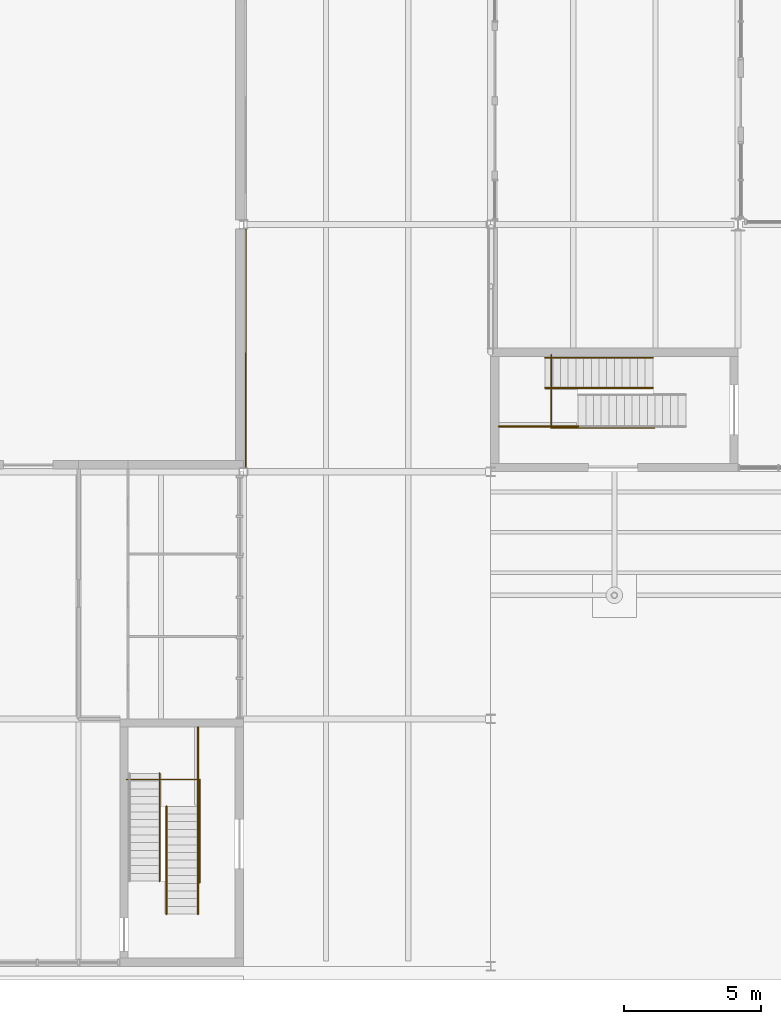
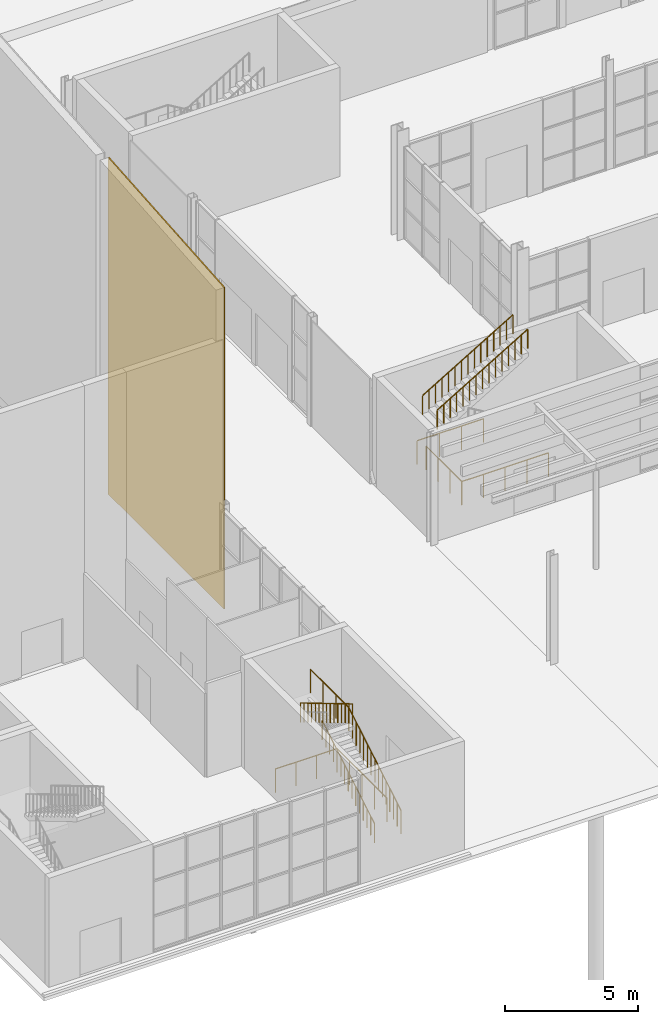
# One storey, part 54 of 63: 9 railings, 1 covering.
"""IFC4 building model written with IfcOpenShell, lengths in metres."""

from ifc_helpers import new_model, si_unit, direction, frame, origin, origin_2d, place, context, subcontext, project, spatial, polyline, circle, outline, extrude, material, layer, layer_set, type_object, element, save


model = new_model("IFC4")

# Units and contexts
model_context = context("Model", 3, precision=1e-05, world=origin(), true_north=direction((0.0, 1.0)))
body_context = subcontext(model_context, "Body", "Model", "MODEL_VIEW")
ifc_project = project(units=[si_unit("LENGTHUNIT", "METRE"), si_unit("AREAUNIT", "SQUARE_METRE"), si_unit("VOLUMEUNIT", "CUBIC_METRE"), si_unit("PLANEANGLEUNIT", "RADIAN"), si_unit("MASSUNIT", "GRAM", prefix="KILO")], contexts=[model_context])

# Site, building, storey
site_placement = place(None, origin())
site = spatial("IfcSite", under=ifc_project, at=site_placement, CompositionType="ELEMENT")
building_placement = place(site_placement, origin())
building = spatial("IfcBuilding", under=site, at=building_placement, Name="Halyard Row Museum", CompositionType="ELEMENT")
storey_placement = place(building_placement, origin())
storey = spatial("IfcBuildingStorey", under=building, at=storey_placement, Name="L00", CompositionType="ELEMENT", Elevation=0.0)

# Railings
ifc_material_1 = material(Name="Steel Grade 300", Category="steel")
railing_type_1 = type_object("IfcRailingType", Name="Guard GR2 steel balustrade 1100", PredefinedType="GUARDRAIL", material=ifc_material_1)
railing_1_placement = place(storey_placement, frame((30.179931640625, 19.64990234375, 2.5)))
element("IfcRailing", 1, at=railing_1_placement, inside=storey, type_object=railing_type_1, Name="Guard GR032", PredefinedType="GUARDRAIL", context=body_context, shape_type="SweptSolid", body=[
    extrude(circle(Radius=0.02392578125, at=origin_2d()), frame((0.0, 0.0, 1.076171875), z_axis=(-1.0, 0.0, 0.0), x_axis=(0.0, -1.0, 0.0)), (0.0, 0.0, 1.0), 2.8798828125),
    extrude(circle(Radius=0.02099609375, at=origin_2d()), origin(), (0.0, 0.0, 1.0), 1.052001953125),
    extrude(circle(Radius=0.02099609375, at=origin_2d()), frame((-0.9599609375, 0.0, 0.0)), (0.0, 0.0, 1.0), 1.052001953125),
    extrude(circle(Radius=0.02099609375, at=origin_2d()), frame((-1.919921875, 0.0, 0.0)), (0.0, 0.0, 1.0), 1.052001953125),
    extrude(circle(Radius=0.02099609375, at=origin_2d()), frame((-2.8798828125, 0.0, 0.0)), (0.0, 0.0, 1.0), 1.052001953125),
])
railing_2_placement = place(storey_placement, frame((16.35009765625, 1.89990234375, 0.166748046875)))
element("IfcRailing", 2, at=railing_2_placement, inside=storey, type_object=railing_type_1, Name="Guard GR078", PredefinedType="GUARDRAIL", context=body_context, shape_type="SweptSolid", body=[
    extrude(circle(Radius=0.02392578125, at=origin_2d()), frame((0.0, 0.0, 1.076171875), z_axis=(0.0, 0.859535888021, 0.511075392877), x_axis=(-1.0, 0.0, 0.0)), (0.0, 0.0, 1.0), 0.32568359375),
    extrude(circle(Radius=0.02392578125, at=origin_2d()), frame((0.0, 0.280029296875, 1.24267578125), z_axis=(0.0, 0.859206643714, 0.511628716353), x_axis=(-1.0, 0.0, 0.0)), (0.0, 0.0, 1.0), 0.325927734375),
    extrude(circle(Radius=0.02392578125, at=origin_2d()), frame((0.0, 0.56005859375, 1.4091796875), z_axis=(0.0, 0.859206643714, 0.511628716353), x_axis=(-1.0, 0.0, 0.0)), (0.0, 0.0, 1.0), 0.325927734375),
    extrude(circle(Radius=0.02392578125, at=origin_2d()), frame((0.0, 0.840087890625, 1.576171875), z_axis=(0.0, 0.859535888021, 0.511075392877), x_axis=(-1.0, 0.0, 0.0)), (0.0, 0.0, 1.0), 0.32568359375),
    extrude(circle(Radius=0.02392578125, at=origin_2d()), frame((0.0, 1.1201171875, 1.74267578125), z_axis=(0.0, 0.859206643714, 0.511628716353), x_axis=(-1.0, 0.0, 0.0)), (0.0, 0.0, 1.0), 0.325927734375),
    extrude(circle(Radius=0.02392578125, at=origin_2d()), frame((0.0, 1.400146484375, 1.9091796875), z_axis=(0.0, 0.859206643714, 0.511628716353), x_axis=(-1.0, 0.0, 0.0)), (0.0, 0.0, 1.0), 0.325927734375),
    extrude(circle(Radius=0.02392578125, at=origin_2d()), frame((0.0, 1.68017578125, 2.076171875), z_axis=(0.0, 0.859535888021, 0.511075392877), x_axis=(-1.0, 0.0, 0.0)), (0.0, 0.0, 1.0), 0.32568359375),
    extrude(circle(Radius=0.02392578125, at=origin_2d()), frame((0.0, 1.960205078125, 2.24267578125), z_axis=(0.0, 0.859010369412, 0.511958187006), x_axis=(-1.0, 0.0, 0.0)), (0.0, 0.0, 1.0), 0.32568359375),
    extrude(circle(Radius=0.02392578125, at=origin_2d()), frame((0.0, 2.239990234375, 2.4091796875), z_axis=(0.0, 0.859206643714, 0.511628716353), x_axis=(-1.0, 0.0, 0.0)), (0.0, 0.0, 1.0), 0.325927734375),
    extrude(circle(Radius=0.02392578125, at=origin_2d()), frame((0.0, 2.52001953125, 2.576171875), z_axis=(0.0, 0.859535888021, 0.511075392877), x_axis=(-1.0, 0.0, 0.0)), (0.0, 0.0, 1.0), 0.32568359375),
    extrude(circle(Radius=0.02392578125, at=origin_2d()), frame((0.0, 2.800048828125, 2.74267578125), z_axis=(0.0, 0.859206643714, 0.511628716353), x_axis=(-1.0, 0.0, 0.0)), (0.0, 0.0, 1.0), 0.325927734375),
    extrude(circle(Radius=0.02392578125, at=origin_2d()), frame((0.0, 3.080078125, 2.9091796875), z_axis=(0.0, 0.859206643714, 0.511628716353), x_axis=(-1.0, 0.0, 0.0)), (0.0, 0.0, 1.0), 0.325927734375),
    extrude(circle(Radius=0.02392578125, at=origin_2d()), frame((0.0, 3.360107421875, 3.076171875), z_axis=(0.0, 0.859535888021, 0.511075392877), x_axis=(-1.0, 0.0, 0.0)), (0.0, 0.0, 1.0), 0.32568359375),
    extrude(circle(Radius=0.02392578125, at=origin_2d()), frame((0.0, 3.64013671875, 3.24267578125), z_axis=(0.0, 0.859206643714, 0.511628716353), x_axis=(-1.0, 0.0, 0.0)), (0.0, 0.0, 1.0), 0.325927734375),
    extrude(circle(Radius=0.02099609375, at=origin_2d()), origin(), (0.0, 0.0, 1.0), 1.052001953125),
    extrude(circle(Radius=0.02099609375, at=origin_2d()), frame((0.0, 0.280029296875, 0.16650390625)), (0.0, 0.0, 1.0), 1.052001953125),
    extrude(circle(Radius=0.02099609375, at=origin_2d()), frame((0.0, 0.56005859375, 0.333251953125)), (0.0, 0.0, 1.0), 1.052001953125),
    extrude(circle(Radius=0.02099609375, at=origin_2d()), frame((0.0, 0.840087890625, 0.5)), (0.0, 0.0, 1.0), 1.052001953125),
    extrude(circle(Radius=0.02099609375, at=origin_2d()), frame((0.0, 1.1201171875, 0.66650390625)), (0.0, 0.0, 1.0), 1.052001953125),
    extrude(circle(Radius=0.02099609375, at=origin_2d()), frame((0.0, 1.400146484375, 0.833251953125)), (0.0, 0.0, 1.0), 1.052001953125),
    extrude(circle(Radius=0.02099609375, at=origin_2d()), frame((0.0, 1.68017578125, 1.0)), (0.0, 0.0, 1.0), 1.052001953125),
    extrude(circle(Radius=0.02099609375, at=origin_2d()), frame((0.0, 1.960205078125, 1.16650390625)), (0.0, 0.0, 1.0), 1.052001953125),
    extrude(circle(Radius=0.02099609375, at=origin_2d()), frame((0.0, 2.239990234375, 1.333251953125)), (0.0, 0.0, 1.0), 1.052001953125),
    extrude(circle(Radius=0.02099609375, at=origin_2d()), frame((0.0, 2.52001953125, 1.5)), (0.0, 0.0, 1.0), 1.052001953125),
    extrude(circle(Radius=0.02099609375, at=origin_2d()), frame((0.0, 2.800048828125, 1.66650390625)), (0.0, 0.0, 1.0), 1.052001953125),
    extrude(circle(Radius=0.02099609375, at=origin_2d()), frame((0.0, 3.080078125, 1.833251953125)), (0.0, 0.0, 1.0), 1.052001953125),
    extrude(circle(Radius=0.02099609375, at=origin_2d()), frame((0.0, 3.360107421875, 2.0)), (0.0, 0.0, 1.0), 1.052001953125),
    extrude(circle(Radius=0.02099609375, at=origin_2d()), frame((0.0, 3.64013671875, 2.16650390625)), (0.0, 0.0, 1.0), 1.052001953125),
    extrude(circle(Radius=0.02099609375, at=origin_2d()), frame((0.0, 3.920166015625, 2.333251953125)), (0.0, 0.0, 1.0), 1.052001953125),
])
railing_3_placement = place(storey_placement, frame((16.35009765625, 5.820068359375, 2.5)))
element("IfcRailing", 3, at=railing_3_placement, inside=storey, type_object=railing_type_1, Name="Guard GR079", PredefinedType="GUARDRAIL", context=body_context, shape_type="SweptSolid", body=[
    extrude(circle(Radius=0.02392578125, at=origin_2d()), frame((0.0, 0.0, 1.076171875), z_axis=(0.0, 1.0, 0.0), x_axis=(-1.0, 0.0, 0.0)), (0.0, 0.0, 1.0), 2.8798828125),
    extrude(circle(Radius=0.02099609375, at=origin_2d()), origin(), (0.0, 0.0, 1.0), 1.052001953125),
    extrude(circle(Radius=0.02099609375, at=origin_2d()), frame((0.0, 0.9599609375, 0.0)), (0.0, 0.0, 1.0), 1.052001953125),
    extrude(circle(Radius=0.02099609375, at=origin_2d()), frame((0.0, 1.919921875, 0.0)), (0.0, 0.0, 1.0), 1.052001953125),
    extrude(circle(Radius=0.02099609375, at=origin_2d()), frame((0.0, 2.8798828125, 0.0)), (0.0, 0.0, 1.0), 1.052001953125),
])
railing_4_placement = place(storey_placement, frame((32.9599609375, 19.590087890625, 0.0)))
element("IfcRailing", 4, at=railing_4_placement, inside=storey, type_object=railing_type_1, Name="Guard GR151", PredefinedType="GUARDRAIL", context=body_context, shape_type="SweptSolid", body=[
    extrude(circle(Radius=0.02392578125, at=origin_2d()), frame((0.0, 0.0, 1.076171875), z_axis=(-1.0, 0.0, 0.0), x_axis=(0.0, -1.0, 0.0)), (0.0, 0.0, 1.0), 3.760009765625),
    extrude(circle(Radius=0.02392578125, at=origin_2d()), frame((-3.760009765625, 0.0, 1.076171875), z_axis=(0.0, 1.0, 0.0), x_axis=(-1.0, 0.0, 0.0)), (0.0, 0.0, 1.0), 2.669921875),
    extrude(circle(Radius=0.02099609375, at=origin_2d()), origin(), (0.0, 0.0, 1.0), 1.052001953125),
    extrude(circle(Radius=0.02099609375, at=origin_2d()), frame((-0.93994140625, 0.0, 0.0)), (0.0, 0.0, 1.0), 1.052001953125),
    extrude(circle(Radius=0.02099609375, at=origin_2d()), frame((-1.8798828125, 0.0, 0.0)), (0.0, 0.0, 1.0), 1.052001953125),
    extrude(circle(Radius=0.02099609375, at=origin_2d()), frame((-2.820068359375, 0.0, 0.0)), (0.0, 0.0, 1.0), 1.052001953125),
    extrude(circle(Radius=0.02099609375, at=origin_2d()), frame((-3.760009765625, 0.0, 0.0)), (0.0, 0.0, 1.0), 1.052001953125),
    extrude(circle(Radius=0.02099609375, at=origin_2d()), frame((-3.760009765625, 0.889892578125, 0.0)), (0.0, 0.0, 1.0), 1.052001953125),
    extrude(circle(Radius=0.02099609375, at=origin_2d()), frame((-3.760009765625, 1.780029296875, 0.0)), (0.0, 0.0, 1.0), 1.052001953125),
    extrude(circle(Radius=0.02099609375, at=origin_2d()), frame((-3.760009765625, 2.669921875, 0.0)), (0.0, 0.0, 1.0), 1.052001953125),
])
railing_5_placement = place(storey_placement, frame((13.739990234375, 6.800048828125, 0.0)))
element("IfcRailing", 5, at=railing_5_placement, inside=storey, type_object=railing_type_1, Name="Guard GR170", PredefinedType="GUARDRAIL", context=body_context, shape_type="SweptSolid", body=[
    extrude(circle(Radius=0.02392578125, at=origin_2d()), frame((0.0, 0.0, 1.076171875), z_axis=(1.0, 0.0, 0.0), x_axis=(0.0, 1.0, 0.0)), (0.0, 0.0, 1.0), 2.669921875),
    extrude(circle(Radius=0.02392578125, at=origin_2d()), frame((2.669921875, 0.0, 1.076171875), z_axis=(0.0, -1.0, 0.0), x_axis=(1.0, 0.0, 0.0)), (0.0, 0.0, 1.0), 3.760009765625),
    extrude(circle(Radius=0.02099609375, at=origin_2d()), origin(), (0.0, 0.0, 1.0), 1.052001953125),
    extrude(circle(Radius=0.02099609375, at=origin_2d()), frame((0.889892578125, 0.0, 0.0)), (0.0, 0.0, 1.0), 1.052001953125),
    extrude(circle(Radius=0.02099609375, at=origin_2d()), frame((1.780029296875, 0.0, 0.0)), (0.0, 0.0, 1.0), 1.052001953125),
    extrude(circle(Radius=0.02099609375, at=origin_2d()), frame((2.669921875, 0.0, 0.0)), (0.0, 0.0, 1.0), 1.052001953125),
    extrude(circle(Radius=0.02099609375, at=origin_2d()), frame((2.669921875, -0.93994140625, 0.0)), (0.0, 0.0, 1.0), 1.052001953125),
    extrude(circle(Radius=0.02099609375, at=origin_2d()), frame((2.669921875, -1.8798828125, 0.0)), (0.0, 0.0, 1.0), 1.052001953125),
    extrude(circle(Radius=0.02099609375, at=origin_2d()), frame((2.669921875, -2.820068359375, 0.0)), (0.0, 0.0, 1.0), 1.052001953125),
    extrude(circle(Radius=0.02099609375, at=origin_2d()), frame((2.669921875, -3.760009765625, 0.0)), (0.0, 0.0, 1.0), 1.052001953125),
])
ifc_material_2 = material(Name="Steel Grade 300", Category="steel")
railing_type_2 = type_object("IfcRailingType", Name="Handrail HR2 steel 900", PredefinedType="HANDRAIL", material=ifc_material_2)
railing_6_placement = place(storey_placement, frame((28.97998046875, 22.14990234375, 2.666748046875)))
element("IfcRailing", 6, at=railing_6_placement, inside=storey, type_object=railing_type_2, Name="Handrail HR047", PredefinedType="HANDRAIL", context=body_context, shape_type="SweptSolid", body=[
    extrude(circle(Radius=0.02392578125, at=origin_2d()), frame((0.0, 0.0, 0.8759765625), z_axis=(0.859535888021, 0.0, 0.511075392877), x_axis=(0.0, 1.0, 0.0)), (0.0, 0.0, 1.0), 0.32568359375),
    extrude(circle(Radius=0.02392578125, at=origin_2d()), frame((0.280029296875, 0.0, 1.04248046875), z_axis=(0.859206643714, 0.0, 0.511628716353), x_axis=(0.0, 1.0, 0.0)), (0.0, 0.0, 1.0), 0.325927734375),
    extrude(circle(Radius=0.02392578125, at=origin_2d()), frame((0.56005859375, 0.0, 1.208984375), z_axis=(0.859206643714, 0.0, 0.511628716353), x_axis=(0.0, 1.0, 0.0)), (0.0, 0.0, 1.0), 0.325927734375),
    extrude(circle(Radius=0.02392578125, at=origin_2d()), frame((0.840087890625, 0.0, 1.3759765625), z_axis=(0.859535888021, 0.0, 0.511075392877), x_axis=(0.0, 1.0, 0.0)), (0.0, 0.0, 1.0), 0.32568359375),
    extrude(circle(Radius=0.02392578125, at=origin_2d()), frame((1.1201171875, 0.0, 1.54248046875), z_axis=(0.859010369412, 0.0, 0.511958187006), x_axis=(0.0, 1.0, 0.0)), (0.0, 0.0, 1.0), 0.32568359375),
    extrude(circle(Radius=0.02392578125, at=origin_2d()), frame((1.39990234375, 0.0, 1.708984375), z_axis=(0.859206643714, 0.0, 0.511628716353), x_axis=(0.0, 1.0, 0.0)), (0.0, 0.0, 1.0), 0.325927734375),
    extrude(circle(Radius=0.02392578125, at=origin_2d()), frame((1.679931640625, 0.0, 1.8759765625), z_axis=(0.859535888021, 0.0, 0.511075392877), x_axis=(0.0, 1.0, 0.0)), (0.0, 0.0, 1.0), 0.32568359375),
    extrude(circle(Radius=0.02392578125, at=origin_2d()), frame((1.9599609375, 0.0, 2.04248046875), z_axis=(0.859206643714, 0.0, 0.511628716353), x_axis=(0.0, 1.0, 0.0)), (0.0, 0.0, 1.0), 0.325927734375),
    extrude(circle(Radius=0.02392578125, at=origin_2d()), frame((2.239990234375, 0.0, 2.208984375), z_axis=(0.859206643714, 0.0, 0.511628716353), x_axis=(0.0, 1.0, 0.0)), (0.0, 0.0, 1.0), 0.325927734375),
    extrude(circle(Radius=0.02392578125, at=origin_2d()), frame((2.52001953125, 0.0, 2.3759765625), z_axis=(0.859535888021, 0.0, 0.511075392877), x_axis=(0.0, 1.0, 0.0)), (0.0, 0.0, 1.0), 0.32568359375),
    extrude(circle(Radius=0.02392578125, at=origin_2d()), frame((2.800048828125, 0.0, 2.54248046875), z_axis=(0.859206643714, 0.0, 0.511628716353), x_axis=(0.0, 1.0, 0.0)), (0.0, 0.0, 1.0), 0.325927734375),
    extrude(circle(Radius=0.02392578125, at=origin_2d()), frame((3.080078125, 0.0, 2.708984375), z_axis=(0.859206643714, 0.0, 0.511628716353), x_axis=(0.0, 1.0, 0.0)), (0.0, 0.0, 1.0), 0.325927734375),
    extrude(circle(Radius=0.02392578125, at=origin_2d()), frame((3.360107421875, 0.0, 2.8759765625), z_axis=(0.859535888021, 0.0, 0.511075392877), x_axis=(0.0, 1.0, 0.0)), (0.0, 0.0, 1.0), 0.32568359375),
    extrude(circle(Radius=0.02392578125, at=origin_2d()), frame((3.64013671875, 0.0, 3.04248046875), z_axis=(0.859010369412, 0.0, 0.511958187006), x_axis=(0.0, 1.0, 0.0)), (0.0, 0.0, 1.0), 0.32568359375),
    extrude(circle(Radius=0.02099609375, at=origin_2d()), origin(), (0.0, 0.0, 1.0), 0.851806640625),
    extrude(circle(Radius=0.02099609375, at=origin_2d()), frame((0.280029296875, 0.0, 0.16650390625)), (0.0, 0.0, 1.0), 0.851806640625),
    extrude(circle(Radius=0.02099609375, at=origin_2d()), frame((0.56005859375, 0.0, 0.333251953125)), (0.0, 0.0, 1.0), 0.851806640625),
    extrude(circle(Radius=0.02099609375, at=origin_2d()), frame((0.840087890625, 0.0, 0.5)), (0.0, 0.0, 1.0), 0.851806640625),
    extrude(circle(Radius=0.02099609375, at=origin_2d()), frame((1.1201171875, 0.0, 0.66650390625)), (0.0, 0.0, 1.0), 0.851806640625),
    extrude(circle(Radius=0.02099609375, at=origin_2d()), frame((1.39990234375, 0.0, 0.833251953125)), (0.0, 0.0, 1.0), 0.851806640625),
    extrude(circle(Radius=0.02099609375, at=origin_2d()), frame((1.679931640625, 0.0, 1.0)), (0.0, 0.0, 1.0), 0.851806640625),
    extrude(circle(Radius=0.02099609375, at=origin_2d()), frame((1.9599609375, 0.0, 1.16650390625)), (0.0, 0.0, 1.0), 0.851806640625),
    extrude(circle(Radius=0.02099609375, at=origin_2d()), frame((2.239990234375, 0.0, 1.333251953125)), (0.0, 0.0, 1.0), 0.851806640625),
    extrude(circle(Radius=0.02099609375, at=origin_2d()), frame((2.52001953125, 0.0, 1.5)), (0.0, 0.0, 1.0), 0.851806640625),
    extrude(circle(Radius=0.02099609375, at=origin_2d()), frame((2.800048828125, 0.0, 1.66650390625)), (0.0, 0.0, 1.0), 0.851806640625),
    extrude(circle(Radius=0.02099609375, at=origin_2d()), frame((3.080078125, 0.0, 1.833251953125)), (0.0, 0.0, 1.0), 0.851806640625),
    extrude(circle(Radius=0.02099609375, at=origin_2d()), frame((3.360107421875, 0.0, 2.0)), (0.0, 0.0, 1.0), 0.851806640625),
    extrude(circle(Radius=0.02099609375, at=origin_2d()), frame((3.64013671875, 0.0, 2.16650390625)), (0.0, 0.0, 1.0), 0.851806640625),
    extrude(circle(Radius=0.02099609375, at=origin_2d()), frame((3.919921875, 0.0, 2.333251953125)), (0.0, 0.0, 1.0), 0.851806640625),
])
railing_7_placement = place(storey_placement, frame((28.97998046875, 21.050048828125, 2.666748046875)))
element("IfcRailing", 7, at=railing_7_placement, inside=storey, type_object=railing_type_2, Name="Handrail HR048", PredefinedType="HANDRAIL", context=body_context, shape_type="SweptSolid", body=[
    extrude(circle(Radius=0.02392578125, at=origin_2d()), frame((0.0, 0.0, 0.8759765625), z_axis=(0.859535888021, 0.0, 0.511075392877), x_axis=(0.0, 1.0, 0.0)), (0.0, 0.0, 1.0), 0.32568359375),
    extrude(circle(Radius=0.02392578125, at=origin_2d()), frame((0.280029296875, 0.0, 1.04248046875), z_axis=(0.859206643714, 0.0, 0.511628716353), x_axis=(0.0, 1.0, 0.0)), (0.0, 0.0, 1.0), 0.325927734375),
    extrude(circle(Radius=0.02392578125, at=origin_2d()), frame((0.56005859375, 0.0, 1.208984375), z_axis=(0.859206643714, 0.0, 0.511628716353), x_axis=(0.0, 1.0, 0.0)), (0.0, 0.0, 1.0), 0.325927734375),
    extrude(circle(Radius=0.02392578125, at=origin_2d()), frame((0.840087890625, 0.0, 1.3759765625), z_axis=(0.859535888021, 0.0, 0.511075392877), x_axis=(0.0, 1.0, 0.0)), (0.0, 0.0, 1.0), 0.32568359375),
    extrude(circle(Radius=0.02392578125, at=origin_2d()), frame((1.1201171875, 0.0, 1.54248046875), z_axis=(0.859010369412, 0.0, 0.511958187006), x_axis=(0.0, 1.0, 0.0)), (0.0, 0.0, 1.0), 0.32568359375),
    extrude(circle(Radius=0.02392578125, at=origin_2d()), frame((1.39990234375, 0.0, 1.708984375), z_axis=(0.859206643714, 0.0, 0.511628716353), x_axis=(0.0, 1.0, 0.0)), (0.0, 0.0, 1.0), 0.325927734375),
    extrude(circle(Radius=0.02392578125, at=origin_2d()), frame((1.679931640625, 0.0, 1.8759765625), z_axis=(0.859535888021, 0.0, 0.511075392877), x_axis=(0.0, 1.0, 0.0)), (0.0, 0.0, 1.0), 0.32568359375),
    extrude(circle(Radius=0.02392578125, at=origin_2d()), frame((1.9599609375, 0.0, 2.04248046875), z_axis=(0.859206643714, 0.0, 0.511628716353), x_axis=(0.0, 1.0, 0.0)), (0.0, 0.0, 1.0), 0.325927734375),
    extrude(circle(Radius=0.02392578125, at=origin_2d()), frame((2.239990234375, 0.0, 2.208984375), z_axis=(0.859206643714, 0.0, 0.511628716353), x_axis=(0.0, 1.0, 0.0)), (0.0, 0.0, 1.0), 0.325927734375),
    extrude(circle(Radius=0.02392578125, at=origin_2d()), frame((2.52001953125, 0.0, 2.3759765625), z_axis=(0.859535888021, 0.0, 0.511075392877), x_axis=(0.0, 1.0, 0.0)), (0.0, 0.0, 1.0), 0.32568359375),
    extrude(circle(Radius=0.02392578125, at=origin_2d()), frame((2.800048828125, 0.0, 2.54248046875), z_axis=(0.859206643714, 0.0, 0.511628716353), x_axis=(0.0, 1.0, 0.0)), (0.0, 0.0, 1.0), 0.325927734375),
    extrude(circle(Radius=0.02392578125, at=origin_2d()), frame((3.080078125, 0.0, 2.708984375), z_axis=(0.859206643714, 0.0, 0.511628716353), x_axis=(0.0, 1.0, 0.0)), (0.0, 0.0, 1.0), 0.325927734375),
    extrude(circle(Radius=0.02392578125, at=origin_2d()), frame((3.360107421875, 0.0, 2.8759765625), z_axis=(0.859535888021, 0.0, 0.511075392877), x_axis=(0.0, 1.0, 0.0)), (0.0, 0.0, 1.0), 0.32568359375),
    extrude(circle(Radius=0.02392578125, at=origin_2d()), frame((3.64013671875, 0.0, 3.04248046875), z_axis=(0.859010369412, 0.0, 0.511958187006), x_axis=(0.0, 1.0, 0.0)), (0.0, 0.0, 1.0), 0.32568359375),
    extrude(circle(Radius=0.02099609375, at=origin_2d()), origin(), (0.0, 0.0, 1.0), 0.851806640625),
    extrude(circle(Radius=0.02099609375, at=origin_2d()), frame((0.280029296875, 0.0, 0.16650390625)), (0.0, 0.0, 1.0), 0.851806640625),
    extrude(circle(Radius=0.02099609375, at=origin_2d()), frame((0.56005859375, 0.0, 0.333251953125)), (0.0, 0.0, 1.0), 0.851806640625),
    extrude(circle(Radius=0.02099609375, at=origin_2d()), frame((0.840087890625, 0.0, 0.5)), (0.0, 0.0, 1.0), 0.851806640625),
    extrude(circle(Radius=0.02099609375, at=origin_2d()), frame((1.1201171875, 0.0, 0.66650390625)), (0.0, 0.0, 1.0), 0.851806640625),
    extrude(circle(Radius=0.02099609375, at=origin_2d()), frame((1.39990234375, 0.0, 0.833251953125)), (0.0, 0.0, 1.0), 0.851806640625),
    extrude(circle(Radius=0.02099609375, at=origin_2d()), frame((1.679931640625, 0.0, 1.0)), (0.0, 0.0, 1.0), 0.851806640625),
    extrude(circle(Radius=0.02099609375, at=origin_2d()), frame((1.9599609375, 0.0, 1.16650390625)), (0.0, 0.0, 1.0), 0.851806640625),
    extrude(circle(Radius=0.02099609375, at=origin_2d()), frame((2.239990234375, 0.0, 1.333251953125)), (0.0, 0.0, 1.0), 0.851806640625),
    extrude(circle(Radius=0.02099609375, at=origin_2d()), frame((2.52001953125, 0.0, 1.5)), (0.0, 0.0, 1.0), 0.851806640625),
    extrude(circle(Radius=0.02099609375, at=origin_2d()), frame((2.800048828125, 0.0, 1.66650390625)), (0.0, 0.0, 1.0), 0.851806640625),
    extrude(circle(Radius=0.02099609375, at=origin_2d()), frame((3.080078125, 0.0, 1.833251953125)), (0.0, 0.0, 1.0), 0.851806640625),
    extrude(circle(Radius=0.02099609375, at=origin_2d()), frame((3.360107421875, 0.0, 2.0)), (0.0, 0.0, 1.0), 0.851806640625),
    extrude(circle(Radius=0.02099609375, at=origin_2d()), frame((3.64013671875, 0.0, 2.16650390625)), (0.0, 0.0, 1.0), 0.851806640625),
    extrude(circle(Radius=0.02099609375, at=origin_2d()), frame((3.919921875, 0.0, 2.333251953125)), (0.0, 0.0, 1.0), 0.851806640625),
])
railing_8_placement = place(storey_placement, frame((15.199951171875, 1.89990234375, 0.166748046875)))
element("IfcRailing", 8, at=railing_8_placement, inside=storey, type_object=railing_type_2, Name="Handrail HR112", PredefinedType="HANDRAIL", context=body_context, shape_type="SweptSolid", body=[
    extrude(circle(Radius=0.02392578125, at=origin_2d()), frame((0.0, 0.0, 0.8759765625), z_axis=(0.0, 0.859535888021, 0.511075392877), x_axis=(-1.0, 0.0, 0.0)), (0.0, 0.0, 1.0), 0.32568359375),
    extrude(circle(Radius=0.02392578125, at=origin_2d()), frame((0.0, 0.280029296875, 1.04248046875), z_axis=(0.0, 0.859206643714, 0.511628716353), x_axis=(-1.0, 0.0, 0.0)), (0.0, 0.0, 1.0), 0.325927734375),
    extrude(circle(Radius=0.02392578125, at=origin_2d()), frame((0.0, 0.56005859375, 1.208984375), z_axis=(0.0, 0.859206643714, 0.511628716353), x_axis=(-1.0, 0.0, 0.0)), (0.0, 0.0, 1.0), 0.325927734375),
    extrude(circle(Radius=0.02392578125, at=origin_2d()), frame((0.0, 0.840087890625, 1.3759765625), z_axis=(0.0, 0.859535888021, 0.511075392877), x_axis=(-1.0, 0.0, 0.0)), (0.0, 0.0, 1.0), 0.32568359375),
    extrude(circle(Radius=0.02392578125, at=origin_2d()), frame((0.0, 1.1201171875, 1.54248046875), z_axis=(0.0, 0.859206643714, 0.511628716353), x_axis=(-1.0, 0.0, 0.0)), (0.0, 0.0, 1.0), 0.325927734375),
    extrude(circle(Radius=0.02392578125, at=origin_2d()), frame((0.0, 1.400146484375, 1.708984375), z_axis=(0.0, 0.859206643714, 0.511628716353), x_axis=(-1.0, 0.0, 0.0)), (0.0, 0.0, 1.0), 0.325927734375),
    extrude(circle(Radius=0.02392578125, at=origin_2d()), frame((0.0, 1.68017578125, 1.8759765625), z_axis=(0.0, 0.859535888021, 0.511075392877), x_axis=(-1.0, 0.0, 0.0)), (0.0, 0.0, 1.0), 0.32568359375),
    extrude(circle(Radius=0.02392578125, at=origin_2d()), frame((0.0, 1.960205078125, 2.04248046875), z_axis=(0.0, 0.859010369412, 0.511958187006), x_axis=(-1.0, 0.0, 0.0)), (0.0, 0.0, 1.0), 0.32568359375),
    extrude(circle(Radius=0.02392578125, at=origin_2d()), frame((0.0, 2.239990234375, 2.208984375), z_axis=(0.0, 0.859206643714, 0.511628716353), x_axis=(-1.0, 0.0, 0.0)), (0.0, 0.0, 1.0), 0.325927734375),
    extrude(circle(Radius=0.02392578125, at=origin_2d()), frame((0.0, 2.52001953125, 2.3759765625), z_axis=(0.0, 0.859535888021, 0.511075392877), x_axis=(-1.0, 0.0, 0.0)), (0.0, 0.0, 1.0), 0.32568359375),
    extrude(circle(Radius=0.02392578125, at=origin_2d()), frame((0.0, 2.800048828125, 2.54248046875), z_axis=(0.0, 0.859206643714, 0.511628716353), x_axis=(-1.0, 0.0, 0.0)), (0.0, 0.0, 1.0), 0.325927734375),
    extrude(circle(Radius=0.02392578125, at=origin_2d()), frame((0.0, 3.080078125, 2.708984375), z_axis=(0.0, 0.859206643714, 0.511628716353), x_axis=(-1.0, 0.0, 0.0)), (0.0, 0.0, 1.0), 0.325927734375),
    extrude(circle(Radius=0.02392578125, at=origin_2d()), frame((0.0, 3.360107421875, 2.8759765625), z_axis=(0.0, 0.859535888021, 0.511075392877), x_axis=(-1.0, 0.0, 0.0)), (0.0, 0.0, 1.0), 0.32568359375),
    extrude(circle(Radius=0.02392578125, at=origin_2d()), frame((0.0, 3.64013671875, 3.04248046875), z_axis=(0.0, 0.859206643714, 0.511628716353), x_axis=(-1.0, 0.0, 0.0)), (0.0, 0.0, 1.0), 0.325927734375),
    extrude(circle(Radius=0.02099609375, at=origin_2d()), origin(), (0.0, 0.0, 1.0), 0.851806640625),
    extrude(circle(Radius=0.02099609375, at=origin_2d()), frame((0.0, 0.280029296875, 0.16650390625)), (0.0, 0.0, 1.0), 0.851806640625),
    extrude(circle(Radius=0.02099609375, at=origin_2d()), frame((0.0, 0.56005859375, 0.333251953125)), (0.0, 0.0, 1.0), 0.851806640625),
    extrude(circle(Radius=0.02099609375, at=origin_2d()), frame((0.0, 0.840087890625, 0.5)), (0.0, 0.0, 1.0), 0.851806640625),
    extrude(circle(Radius=0.02099609375, at=origin_2d()), frame((0.0, 1.1201171875, 0.66650390625)), (0.0, 0.0, 1.0), 0.851806640625),
    extrude(circle(Radius=0.02099609375, at=origin_2d()), frame((0.0, 1.400146484375, 0.833251953125)), (0.0, 0.0, 1.0), 0.851806640625),
    extrude(circle(Radius=0.02099609375, at=origin_2d()), frame((0.0, 1.68017578125, 1.0)), (0.0, 0.0, 1.0), 0.851806640625),
    extrude(circle(Radius=0.02099609375, at=origin_2d()), frame((0.0, 1.960205078125, 1.16650390625)), (0.0, 0.0, 1.0), 0.851806640625),
    extrude(circle(Radius=0.02099609375, at=origin_2d()), frame((0.0, 2.239990234375, 1.333251953125)), (0.0, 0.0, 1.0), 0.851806640625),
    extrude(circle(Radius=0.02099609375, at=origin_2d()), frame((0.0, 2.52001953125, 1.5)), (0.0, 0.0, 1.0), 0.851806640625),
    extrude(circle(Radius=0.02099609375, at=origin_2d()), frame((0.0, 2.800048828125, 1.66650390625)), (0.0, 0.0, 1.0), 0.851806640625),
    extrude(circle(Radius=0.02099609375, at=origin_2d()), frame((0.0, 3.080078125, 1.833251953125)), (0.0, 0.0, 1.0), 0.851806640625),
    extrude(circle(Radius=0.02099609375, at=origin_2d()), frame((0.0, 3.360107421875, 2.0)), (0.0, 0.0, 1.0), 0.851806640625),
    extrude(circle(Radius=0.02099609375, at=origin_2d()), frame((0.0, 3.64013671875, 2.16650390625)), (0.0, 0.0, 1.0), 0.851806640625),
    extrude(circle(Radius=0.02099609375, at=origin_2d()), frame((0.0, 3.920166015625, 2.333251953125)), (0.0, 0.0, 1.0), 0.851806640625),
])
railing_9_placement = place(storey_placement, frame((14.949951171875, 7.02001953125, 2.666748046875)))
element("IfcRailing", 9, at=railing_9_placement, inside=storey, type_object=railing_type_2, Name="Handrail HR114", PredefinedType="HANDRAIL", context=body_context, shape_type="SweptSolid", body=[
    extrude(circle(Radius=0.02392578125, at=origin_2d()), frame((0.0, 0.0, 0.8759765625), z_axis=(0.0, -0.859535888021, 0.511075392877), x_axis=(1.0, 0.0, 0.0)), (0.0, 0.0, 1.0), 0.32568359375),
    extrude(circle(Radius=0.02392578125, at=origin_2d()), frame((0.0, -0.280029296875, 1.04248046875), z_axis=(0.0, -0.859206643714, 0.511628716353), x_axis=(1.0, 0.0, 0.0)), (0.0, 0.0, 1.0), 0.325927734375),
    extrude(circle(Radius=0.02392578125, at=origin_2d()), frame((0.0, -0.56005859375, 1.208984375), z_axis=(0.0, -0.859206643714, 0.511628716353), x_axis=(1.0, 0.0, 0.0)), (0.0, 0.0, 1.0), 0.325927734375),
    extrude(circle(Radius=0.02392578125, at=origin_2d()), frame((0.0, -0.840087890625, 1.3759765625), z_axis=(0.0, -0.859535888021, 0.511075392877), x_axis=(1.0, 0.0, 0.0)), (0.0, 0.0, 1.0), 0.32568359375),
    extrude(circle(Radius=0.02392578125, at=origin_2d()), frame((0.0, -1.1201171875, 1.54248046875), z_axis=(0.0, -0.859010369412, 0.511958187006), x_axis=(1.0, 0.0, 0.0)), (0.0, 0.0, 1.0), 0.32568359375),
    extrude(circle(Radius=0.02392578125, at=origin_2d()), frame((0.0, -1.39990234375, 1.708984375), z_axis=(0.0, -0.859206643714, 0.511628716353), x_axis=(1.0, 0.0, 0.0)), (0.0, 0.0, 1.0), 0.325927734375),
    extrude(circle(Radius=0.02392578125, at=origin_2d()), frame((0.0, -1.679931640625, 1.8759765625), z_axis=(0.0, -0.859535888021, 0.511075392877), x_axis=(1.0, 0.0, 0.0)), (0.0, 0.0, 1.0), 0.32568359375),
    extrude(circle(Radius=0.02392578125, at=origin_2d()), frame((0.0, -1.9599609375, 2.04248046875), z_axis=(0.0, -0.859206643714, 0.511628716353), x_axis=(1.0, 0.0, 0.0)), (0.0, 0.0, 1.0), 0.325927734375),
    extrude(circle(Radius=0.02392578125, at=origin_2d()), frame((0.0, -2.239990234375, 2.208984375), z_axis=(0.0, -0.859206643714, 0.511628716353), x_axis=(1.0, 0.0, 0.0)), (0.0, 0.0, 1.0), 0.325927734375),
    extrude(circle(Radius=0.02392578125, at=origin_2d()), frame((0.0, -2.52001953125, 2.3759765625), z_axis=(0.0, -0.859535888021, 0.511075392877), x_axis=(1.0, 0.0, 0.0)), (0.0, 0.0, 1.0), 0.32568359375),
    extrude(circle(Radius=0.02392578125, at=origin_2d()), frame((0.0, -2.800048828125, 2.54248046875), z_axis=(0.0, -0.859206643714, 0.511628716353), x_axis=(1.0, 0.0, 0.0)), (0.0, 0.0, 1.0), 0.325927734375),
    extrude(circle(Radius=0.02392578125, at=origin_2d()), frame((0.0, -3.080078125, 2.708984375), z_axis=(0.0, -0.859206643714, 0.511628716353), x_axis=(1.0, 0.0, 0.0)), (0.0, 0.0, 1.0), 0.325927734375),
    extrude(circle(Radius=0.02392578125, at=origin_2d()), frame((0.0, -3.360107421875, 2.8759765625), z_axis=(0.0, -0.859535888021, 0.511075392877), x_axis=(1.0, 0.0, 0.0)), (0.0, 0.0, 1.0), 0.32568359375),
    extrude(circle(Radius=0.02392578125, at=origin_2d()), frame((0.0, -3.64013671875, 3.04248046875), z_axis=(0.0, -0.859010369412, 0.511958187006), x_axis=(1.0, 0.0, 0.0)), (0.0, 0.0, 1.0), 0.32568359375),
    extrude(circle(Radius=0.02099609375, at=origin_2d()), origin(), (0.0, 0.0, 1.0), 0.851806640625),
    extrude(circle(Radius=0.02099609375, at=origin_2d()), frame((0.0, -0.280029296875, 0.16650390625)), (0.0, 0.0, 1.0), 0.851806640625),
    extrude(circle(Radius=0.02099609375, at=origin_2d()), frame((0.0, -0.56005859375, 0.333251953125)), (0.0, 0.0, 1.0), 0.851806640625),
    extrude(circle(Radius=0.02099609375, at=origin_2d()), frame((0.0, -0.840087890625, 0.5)), (0.0, 0.0, 1.0), 0.851806640625),
    extrude(circle(Radius=0.02099609375, at=origin_2d()), frame((0.0, -1.1201171875, 0.66650390625)), (0.0, 0.0, 1.0), 0.851806640625),
    extrude(circle(Radius=0.02099609375, at=origin_2d()), frame((0.0, -1.39990234375, 0.833251953125)), (0.0, 0.0, 1.0), 0.851806640625),
    extrude(circle(Radius=0.02099609375, at=origin_2d()), frame((0.0, -1.679931640625, 1.0)), (0.0, 0.0, 1.0), 0.851806640625),
    extrude(circle(Radius=0.02099609375, at=origin_2d()), frame((0.0, -1.9599609375, 1.16650390625)), (0.0, 0.0, 1.0), 0.851806640625),
    extrude(circle(Radius=0.02099609375, at=origin_2d()), frame((0.0, -2.239990234375, 1.333251953125)), (0.0, 0.0, 1.0), 0.851806640625),
    extrude(circle(Radius=0.02099609375, at=origin_2d()), frame((0.0, -2.52001953125, 1.5)), (0.0, 0.0, 1.0), 0.851806640625),
    extrude(circle(Radius=0.02099609375, at=origin_2d()), frame((0.0, -2.800048828125, 1.66650390625)), (0.0, 0.0, 1.0), 0.851806640625),
    extrude(circle(Radius=0.02099609375, at=origin_2d()), frame((0.0, -3.080078125, 1.833251953125)), (0.0, 0.0, 1.0), 0.851806640625),
    extrude(circle(Radius=0.02099609375, at=origin_2d()), frame((0.0, -3.360107421875, 2.0)), (0.0, 0.0, 1.0), 0.851806640625),
    extrude(circle(Radius=0.02099609375, at=origin_2d()), frame((0.0, -3.64013671875, 2.16650390625)), (0.0, 0.0, 1.0), 0.851806640625),
    extrude(circle(Radius=0.02099609375, at=origin_2d()), frame((0.0, -3.919921875, 2.333251953125)), (0.0, 0.0, 1.0), 0.851806640625),
])

# Covering
ifc_material_3 = material(Name="Fire-retardant Type A timber battens", Category="wood")
ifc_layer = layer(ifc_material_3, 0.050048828125)
ifc_layer_set = layer_set([ifc_layer], Name="Fire-retardant Type A timber battens")
covering_type = type_object("IfcCoveringType", Name="Timber batten cladding 50", PredefinedType="CLADDING", material=ifc_layer_set)
covering_placement = place(storey_placement, frame((18.0849609375, 18.14990234375, 0.0), z_axis=(0.0, 0.0, 1.0), x_axis=(0.0, 1.0, 0.0)))
element("IfcCovering", 10, at=covering_placement, inside=storey, type_object=covering_type, Name="Cladding CLL00-006", PredefinedType="CLADDING", context=body_context, shape_type="SweptSolid", body=[
    extrude(outline(polyline([(0.0, 0.0), (8.6865234375, 0.0), (8.686279296875, 15.427001953125), (0.0, 14.73193359375), (0.0, 0.0)])), frame((0.0, 0.02490234375, 0.0), z_axis=(0.0, -1.0, 0.0), x_axis=(1.0, 0.0, 0.0)), (0.0, 0.0, 1.0), 0.050048828125),
])

save(model, "model.ifc")
